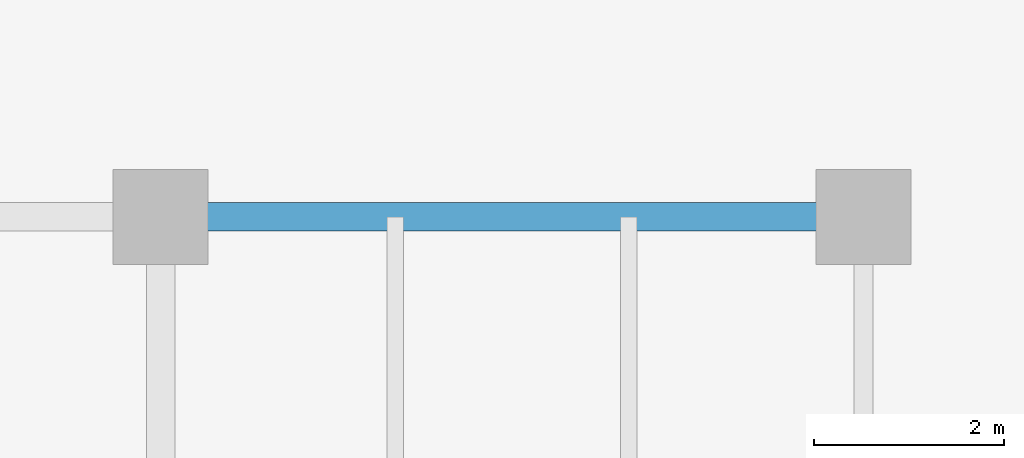
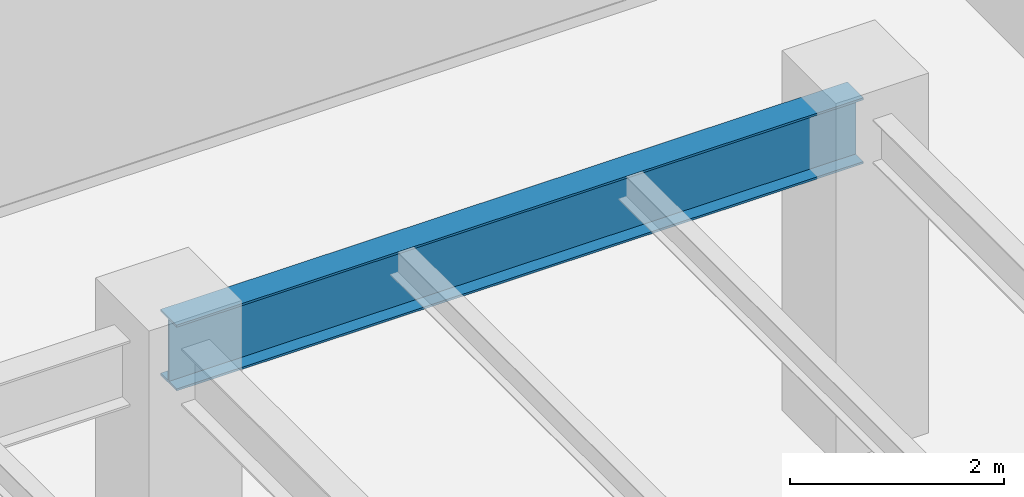
# One storey, part 21 of 35: 1 beam.
"""IFC4 building model written with IfcOpenShell, lengths in metres."""

from ifc_helpers import new_model, si_unit, direction, frame, origin, origin_2d, place, context, subcontext, project, spatial, i_section, extrude, source, transform, mapped, material, material_profile, profile_set, type_object, type_shapes, element, save


model = new_model("IFC4")

# Units and contexts
model_context = context("Model", 3, precision=1e-05, world=origin(), true_north=direction((0.0, 1.0)))
body_context = subcontext(model_context, "Body", "Model", "MODEL_VIEW")
ifc_project = project(units=[si_unit("LENGTHUNIT", "METRE"), si_unit("AREAUNIT", "SQUARE_METRE"), si_unit("VOLUMEUNIT", "CUBIC_METRE"), si_unit("PLANEANGLEUNIT", "RADIAN"), si_unit("MASSUNIT", "GRAM", prefix="KILO")], contexts=[model_context])

# Site, building, storey
site_placement = place(None, origin())
site = spatial("IfcSite", under=ifc_project, at=site_placement, CompositionType="ELEMENT")
building_placement = place(site_placement, origin())
building = spatial("IfcBuilding", under=site, at=building_placement, Name="Haelvirn Gate Laboratories", CompositionType="ELEMENT")
storey_placement = place(building_placement, frame((0.0, 0.0, 86.699951171875)))
storey = spatial("IfcBuildingStorey", under=building, at=storey_placement, Name="L21", CompositionType="ELEMENT", Elevation=86.699951171875)

# Beam
ifc_material = material(Name="Steel SM355", Category="steel")
ifc_material_profile = material_profile(ifc_material, i_section(OverallWidth=0.300048828125, OverallDepth=0.75, WebThickness=0.013916015625, FlangeThickness=0.02392578125, at=origin_2d()), Name="H-750x300x14x24")
ifc_profile_set = profile_set([ifc_material_profile], Name="Steel SM355")
beam_type = type_object("IfcBeamType", Name="BM-G-750", PredefinedType="BEAM", material=ifc_profile_set)
shared_shape = source(origin(), body_context, "Body", "SweptSolid", [
    extrude(i_section(OverallWidth=0.300048828125, OverallDepth=0.75, WebThickness=0.013916015625, FlangeThickness=0.02392578125, at=origin_2d()), origin(), (0.0, 0.0, 1.0), 7.39990234375),
])
type_shapes(beam_type, [shared_shape])
beam_placement = place(storey_placement, frame((60.0, 41.60009765625, 3.405029296875), z_axis=(1.0, 0.0, 0.0), x_axis=(0.0, 1.0, 0.0)))
element("IfcBeam", 1, at=beam_placement, inside=storey, type_object=beam_type, Name="L21 Primary Girder Y41.6 (60.0-67.4)", PredefinedType="BEAM", context=body_context, shape_type="MappedRepresentation", body=[
    mapped(shared_shape, transform((0.0, 0.0, 0.0), scale=1.0)),
])

save(model, "model.ifc")
